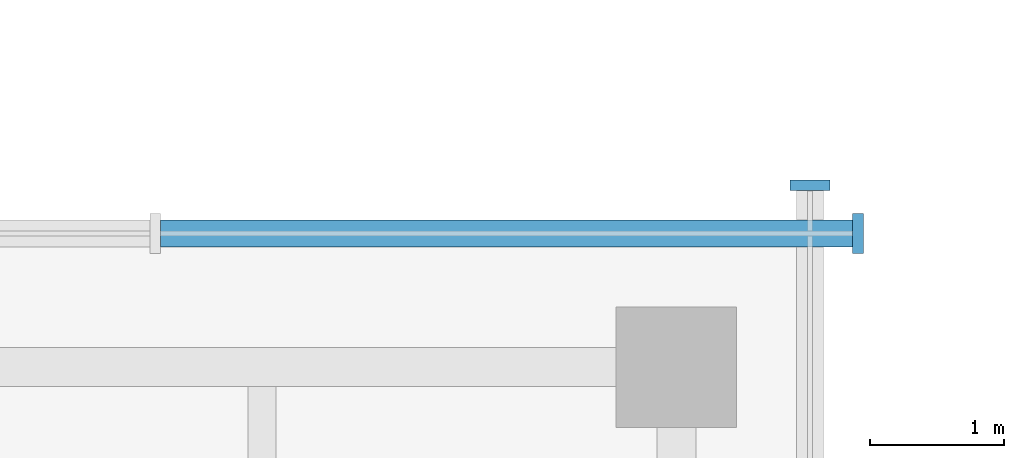
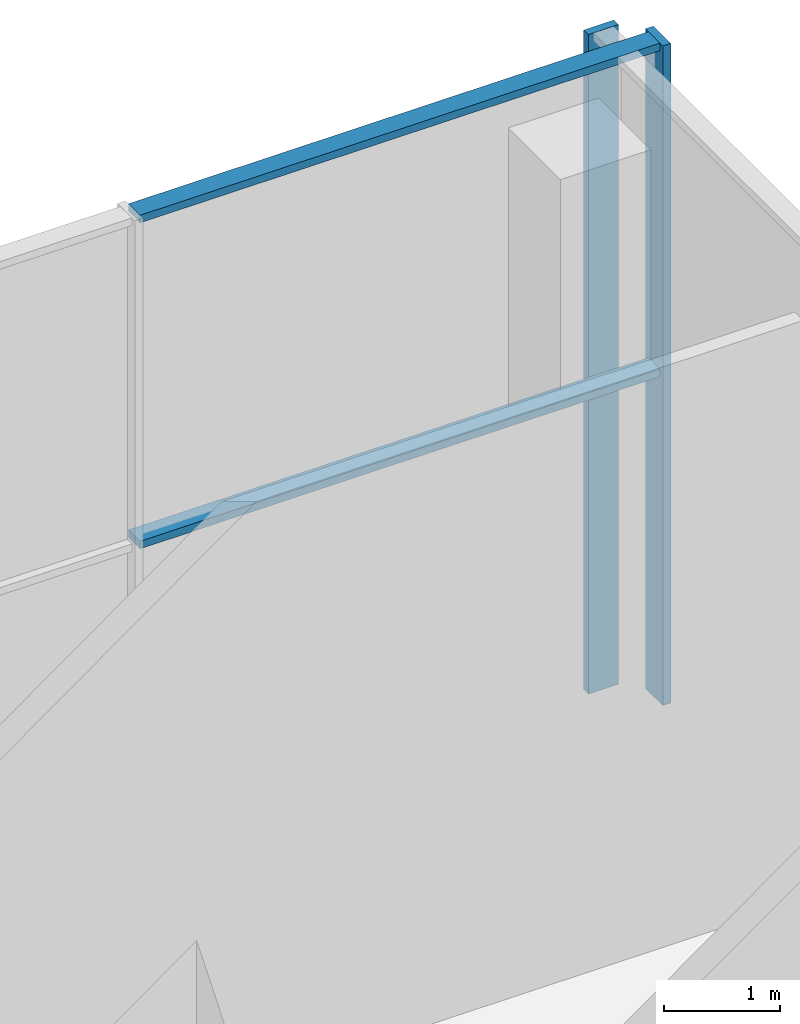
# One storey, part 10 of 36: 4 members, 2 elements without a shape of their own.
"""IFC4 building model written with IfcOpenShell, lengths in metres."""

from ifc_helpers import new_model, si_unit, direction, frame, origin, origin_2d, place, context, subcontext, project, spatial, rectangle, extrude, material, material_profile, profile_set, type_object, element, aggregate, save


model = new_model("IFC4")

# Units and contexts
model_context = context("Model", 3, precision=1e-05, world=origin(), true_north=direction((0.0, 1.0)))
body_context = subcontext(model_context, "Body", "Model", "MODEL_VIEW")
ifc_project = project(units=[si_unit("LENGTHUNIT", "METRE"), si_unit("AREAUNIT", "SQUARE_METRE"), si_unit("VOLUMEUNIT", "CUBIC_METRE"), si_unit("PLANEANGLEUNIT", "RADIAN"), si_unit("MASSUNIT", "GRAM", prefix="KILO")], contexts=[model_context])

# Site, building, storey
site_placement = place(None, origin())
site = spatial("IfcSite", under=ifc_project, at=site_placement, CompositionType="ELEMENT")
building_placement = place(site_placement, origin())
building = spatial("IfcBuilding", under=site, at=building_placement, Name="Tessera Gate Towers", CompositionType="ELEMENT")
storey_placement = place(building_placement, origin())
storey = spatial("IfcBuildingStorey", under=building, at=storey_placement, Name="L00", CompositionType="ELEMENT", Elevation=0.0)

# Curtain wall, member
ifc_material_1 = material(Name="Aluminium frame", Category="aluminium")
curtain_wall_type = type_object("IfcCurtainWallType", Name="CW-S6 ground floor glazing", PredefinedType="NOTDEFINED", material=ifc_material_1)
curtain_wall_1_placement = place(storey_placement, origin())
curtain_wall_1 = element("IfcCurtainWall", 1, at=curtain_wall_1_placement, inside=storey, type_object=curtain_wall_type, Name="Curtain wall ground floor glazing 0181", PredefinedType="NOTDEFINED")
ifc_material_2 = material(Name="Aluminium frame", Category="aluminium")
ifc_material_profile_1 = material_profile(ifc_material_2, rectangle(XDim=0.080078125, YDim=0.300048828125, at=origin_2d()), Name="AL 80x300")
ifc_profile_set_1 = profile_set([ifc_material_profile_1], Name="Aluminium frame")
member_type_1 = type_object("IfcMemberType", Name="MU-S6 mullion 80x300", PredefinedType="MULLION", material=ifc_profile_set_1)
member_1_placement = place(storey_placement, frame((138.300048828125, 59.360107421875, 0.0), z_axis=(0.0, 0.0, 1.0), x_axis=(0.0, 1.0, 0.0)))
member_1 = element("IfcMember", 2, at=member_1_placement, type_object=member_type_1, Name="PD-CW6-0181 mullion 3", PredefinedType="MULLION", context=body_context, shape_type="SweptSolid", body=[
    extrude(rectangle(XDim=0.080078125, YDim=0.300048828125, at=origin_2d()), origin(), (0.0, 0.0, 1.0), 6.949951171875),
])
aggregate(curtain_wall_1, [member_1])

# Curtain wall, members
curtain_wall_2_placement = place(storey_placement, origin())
curtain_wall_2 = element("IfcCurtainWall", 3, at=curtain_wall_2_placement, inside=storey, type_object=curtain_wall_type, Name="Curtain wall ground floor glazing 0184", PredefinedType="NOTDEFINED")
member_2_placement = place(storey_placement, frame((138.659912109375, 59.0, 0.0), z_axis=(0.0, 0.0, 1.0), x_axis=(-1.0, 0.0, 0.0)))
member_2 = element("IfcMember", 4, at=member_2_placement, type_object=member_type_1, Name="PD-CW6-0184 mullion 1", PredefinedType="MULLION", context=body_context, shape_type="SweptSolid", body=[
    extrude(rectangle(XDim=0.080078125, YDim=0.300048828125, at=origin_2d()), origin(), (0.0, 0.0, 1.0), 6.949951171875),
])
ifc_material_3 = material(Name="Aluminium frame", Category="aluminium")
ifc_material_profile_2 = material_profile(ifc_material_3, rectangle(XDim=0.199951171875, YDim=0.080078125, at=origin_2d()), Name="AL 80x200")
ifc_profile_set_2 = profile_set([ifc_material_profile_2], Name="Aluminium frame")
member_type_2 = type_object("IfcMemberType", Name="TR-S6 transom 80x200", PredefinedType="USERDEFINED", material=ifc_profile_set_2)
member_3_placement = place(storey_placement, frame((138.6201171875, 59.0, 3.47509765625), z_axis=(-1.0, 0.0, 0.0), x_axis=(0.0, -1.0, 0.0)))
member_3 = element("IfcMember", 5, at=member_3_placement, type_object=member_type_2, Name="PD-CW6-0184 transom 1.2", ObjectType="TRANSOM", PredefinedType="USERDEFINED", context=body_context, shape_type="SweptSolid", body=[
    extrude(rectangle(XDim=0.199951171875, YDim=0.080078125, at=origin_2d()), origin(), (0.0, 0.0, 1.0), 5.18017578125),
])
member_4_placement = place(storey_placement, frame((138.6201171875, 59.0, 6.909912109375), z_axis=(-1.0, 0.0, 0.0), x_axis=(0.0, -1.0, 0.0)))
member_4 = element("IfcMember", 6, at=member_4_placement, type_object=member_type_2, Name="PD-CW6-0184 transom 1.3", ObjectType="TRANSOM", PredefinedType="USERDEFINED", context=body_context, shape_type="SweptSolid", body=[
    extrude(rectangle(XDim=0.199951171875, YDim=0.080078125, at=origin_2d()), origin(), (0.0, 0.0, 1.0), 5.18017578125),
])
aggregate(curtain_wall_2, [member_2, member_3, member_4])

save(model, "model.ifc")
